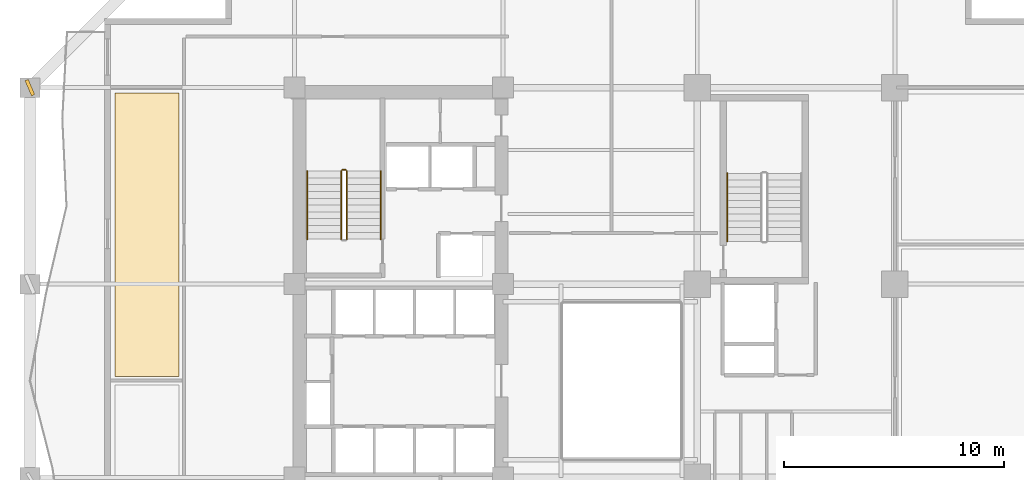
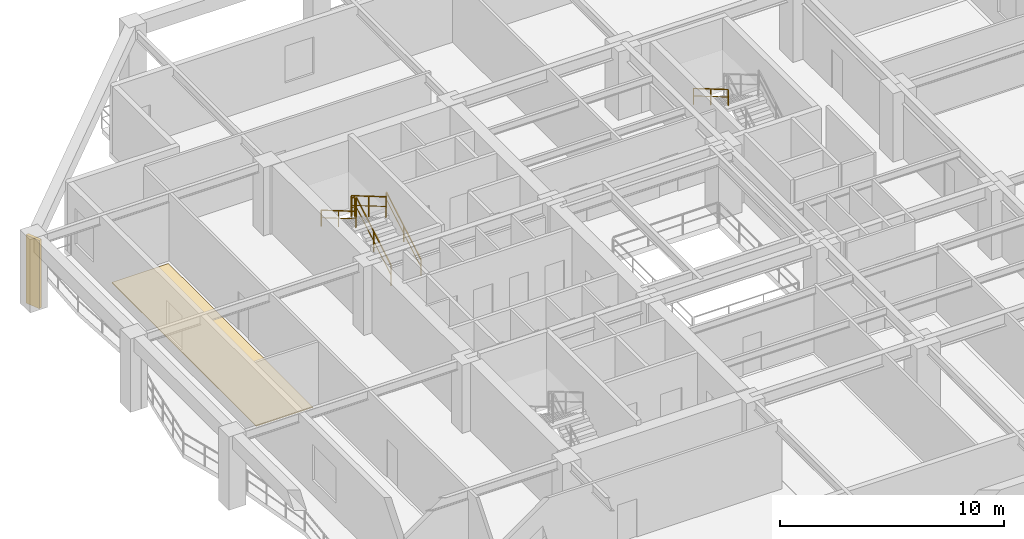
# One storey, part 10 of 12: 6 railings, 1 covering, 1 shading device.
"""IFC4 building model written with IfcOpenShell, lengths in metres."""

from ifc_helpers import new_model, si_unit, direction, frame, origin, origin_2d, place, context, subcontext, project, spatial, polyline, rectangle, outline, extrude, material, layer, layer_set, type_object, element, save


model = new_model("IFC4")

# Units and contexts
model_context = context("Model", 3, precision=1e-05, world=origin(), true_north=direction((0.0, 1.0)))
body_context = subcontext(model_context, "Body", "Model", "MODEL_VIEW")
ifc_project = project(units=[si_unit("LENGTHUNIT", "METRE"), si_unit("AREAUNIT", "SQUARE_METRE"), si_unit("VOLUMEUNIT", "CUBIC_METRE"), si_unit("PLANEANGLEUNIT", "RADIAN"), si_unit("MASSUNIT", "GRAM", prefix="KILO")], contexts=[model_context])

# Site, building, storey
site_placement = place(None, origin())
site = spatial("IfcSite", under=ifc_project, at=site_placement, CompositionType="ELEMENT")
building_placement = place(site_placement, origin())
building = spatial("IfcBuilding", under=site, at=building_placement, Name="Kundavana Baori Tower", CompositionType="ELEMENT")
storey_placement = place(building_placement, frame((0.0, 0.0, 46.0)))
storey = spatial("IfcBuildingStorey", under=building, at=storey_placement, Name="L10", CompositionType="ELEMENT", Elevation=46.0)

# Covering
ifc_material_1 = material(Name="Honed Kota Stone and Terrazzo Flooring", Category="masonry")
ifc_layer = layer(ifc_material_1, 0.0400390625, Name="COV-FLR-TERR-40")
ifc_layer_set = layer_set([ifc_layer], Name="Honed Kota Stone and Terrazzo Flooring")
covering_type = type_object("IfcCoveringType", Name="COV-FLR-TERR-40", PredefinedType="FLOORING", material=ifc_layer_set)
covering_placement = place(storey_placement, origin())
element("IfcCovering", 1, at=covering_placement, inside=storey, type_object=covering_type, Name="L10 Room Finished Stone Flooring 2", PredefinedType="FLOORING", context=body_context, shape_type="SweptSolid", body=[
    extrude(outline(polyline([(7.280029296875, 28.800048828125), (10.199951171875, 28.800048828125), (10.199951171875, 41.699951171875), (7.280029296875, 41.699951171875), (7.280029296875, 28.800048828125)])), origin(), (0.0, 0.0, 1.0), 0.0400390625),
])

# Railings
ifc_material_2 = material(Name="Architectural Patinated Bronze Metalwork")
railing_type_1 = type_object("IfcRailingType", Name="RL-GRD-1150", PredefinedType="GUARDRAIL", material=ifc_material_2)
railing_1_placement = place(storey_placement, frame((17.840087890625, 35.050048828125, 0.181884765625)))
element("IfcRailing", 2, at=railing_1_placement, inside=storey, type_object=railing_type_1, Name="L10 ST2 stair guard 1", PredefinedType="GUARDRAIL", context=body_context, shape_type="SweptSolid", body=[
    extrude(rectangle(XDim=0.048095703125, YDim=0.048095703125, at=origin_2d()), frame((0.0, 0.0, 1.1259765625), z_axis=(0.0, 0.86258143422, 0.50591824373), x_axis=(-1.0, 0.0, 0.0)), (0.0, 0.0, 1.0), 3.59375),
    extrude(rectangle(XDim=0.03125, YDim=0.03125, at=origin_2d()), frame((0.0, 0.0, 0.597900390625), z_axis=(0.0, 0.86258143422, 0.50591824373), x_axis=(-1.0, 0.0, 0.0)), (0.0, 0.0, 1.0), 3.59375),
    extrude(rectangle(XDim=0.0419921875, YDim=0.0419921875, at=origin_2d()), origin(), (0.0, 0.0, 1.0), 1.101806640625),
    extrude(rectangle(XDim=0.0419921875, YDim=0.0419921875, at=origin_2d()), frame((0.0, 1.5498046875, 0.9091796875)), (0.0, 0.0, 1.0), 1.101806640625),
    extrude(rectangle(XDim=0.0419921875, YDim=0.0419921875, at=origin_2d()), frame((0.0, 3.099853515625, 1.818115234375)), (0.0, 0.0, 1.0), 1.101806640625),
])
railing_2_placement = place(storey_placement, frame((17.7900390625, 38.199951171875, 2.0)))
element("IfcRailing", 3, at=railing_2_placement, inside=storey, type_object=railing_type_1, Name="L10 ST2 stair guard 2", PredefinedType="GUARDRAIL", context=body_context, shape_type="SweptSolid", body=[
    extrude(rectangle(XDim=0.048095703125, YDim=0.048095703125, at=origin_2d()), frame((0.0, 0.0, 1.1259765625), z_axis=(-1.0, 0.0, 0.0), x_axis=(0.0, -1.0, 0.0)), (0.0, 0.0, 1.0), 0.16015625),
    extrude(rectangle(XDim=0.03125, YDim=0.03125, at=origin_2d()), frame((0.0, 0.0, 0.597900390625), z_axis=(-1.0, 0.0, 0.0), x_axis=(0.0, -1.0, 0.0)), (0.0, 0.0, 1.0), 0.16015625),
    extrude(rectangle(XDim=0.0419921875, YDim=0.0419921875, at=origin_2d()), origin(), (0.0, 0.0, 1.0), 1.101806640625),
    extrude(rectangle(XDim=0.0419921875, YDim=0.0419921875, at=origin_2d()), frame((-0.16015625, 0.0, 0.0)), (0.0, 0.0, 1.0), 1.101806640625),
])
railing_3_placement = place(storey_placement, frame((17.580078125, 38.14990234375, 2.181884765625)))
element("IfcRailing", 4, at=railing_3_placement, inside=storey, type_object=railing_type_1, Name="L10 ST2 stair guard 3", PredefinedType="GUARDRAIL", context=body_context, shape_type="SweptSolid", body=[
    extrude(rectangle(XDim=0.048095703125, YDim=0.048095703125, at=origin_2d()), frame((0.0, 0.0, 1.1259765625), z_axis=(0.0, -0.86258143422, 0.50591824373), x_axis=(1.0, 0.0, 0.0)), (0.0, 0.0, 1.0), 3.59375),
    extrude(rectangle(XDim=0.03125, YDim=0.03125, at=origin_2d()), frame((0.0, 0.0, 0.597900390625), z_axis=(0.0, -0.86258143422, 0.50591824373), x_axis=(1.0, 0.0, 0.0)), (0.0, 0.0, 1.0), 3.59375),
    extrude(rectangle(XDim=0.0419921875, YDim=0.0419921875, at=origin_2d()), origin(), (0.0, 0.0, 1.0), 1.101806640625),
    extrude(rectangle(XDim=0.0419921875, YDim=0.0419921875, at=origin_2d()), frame((0.0, -1.5498046875, 0.9091796875)), (0.0, 0.0, 1.0), 1.101806640625),
    extrude(rectangle(XDim=0.0419921875, YDim=0.0419921875, at=origin_2d()), frame((0.0, -3.099853515625, 1.818115234375)), (0.0, 0.0, 1.0), 1.101806640625),
])
ifc_material_3 = material(Name="Architectural Patinated Bronze Metalwork")
railing_type_2 = type_object("IfcRailingType", Name="RL-HND-920", PredefinedType="HANDRAIL", material=ifc_material_3)
railing_4_placement = place(storey_placement, frame((19.389892578125, 35.050048828125, 0.181884765625)))
element("IfcRailing", 5, at=railing_4_placement, inside=storey, type_object=railing_type_2, Name="L10 ST2 stair handrail 1", PredefinedType="HANDRAIL", context=body_context, shape_type="SweptSolid", body=[
    extrude(rectangle(XDim=0.048095703125, YDim=0.048095703125, at=origin_2d()), frame((0.0, 0.0, 0.8759765625), z_axis=(0.0, 0.86258143422, 0.50591824373), x_axis=(-1.0, 0.0, 0.0)), (0.0, 0.0, 1.0), 3.59375),
    extrude(rectangle(XDim=0.03125, YDim=0.03125, at=origin_2d()), frame((0.0, 0.0, 0.468017578125), z_axis=(0.0, 0.86258143422, 0.50591824373), x_axis=(-1.0, 0.0, 0.0)), (0.0, 0.0, 1.0), 3.59375),
    extrude(rectangle(XDim=0.0419921875, YDim=0.0419921875, at=origin_2d()), origin(), (0.0, 0.0, 1.0), 0.851806640625),
    extrude(rectangle(XDim=0.0419921875, YDim=0.0419921875, at=origin_2d()), frame((0.0, 1.5498046875, 0.9091796875)), (0.0, 0.0, 1.0), 0.851806640625),
    extrude(rectangle(XDim=0.0419921875, YDim=0.0419921875, at=origin_2d()), frame((0.0, 3.099853515625, 1.818115234375)), (0.0, 0.0, 1.0), 0.851806640625),
])
railing_5_placement = place(storey_placement, frame((16.030029296875, 38.14990234375, 2.181884765625)))
element("IfcRailing", 6, at=railing_5_placement, inside=storey, type_object=railing_type_2, Name="L10 ST2 stair handrail 2", PredefinedType="HANDRAIL", context=body_context, shape_type="SweptSolid", body=[
    extrude(rectangle(XDim=0.048095703125, YDim=0.048095703125, at=origin_2d()), frame((0.0, 0.0, 0.8759765625), z_axis=(0.0, -0.86258143422, 0.50591824373), x_axis=(1.0, 0.0, 0.0)), (0.0, 0.0, 1.0), 3.59375),
    extrude(rectangle(XDim=0.03125, YDim=0.03125, at=origin_2d()), frame((0.0, 0.0, 0.468017578125), z_axis=(0.0, -0.86258143422, 0.50591824373), x_axis=(1.0, 0.0, 0.0)), (0.0, 0.0, 1.0), 3.59375),
    extrude(rectangle(XDim=0.0419921875, YDim=0.0419921875, at=origin_2d()), origin(), (0.0, 0.0, 1.0), 0.851806640625),
    extrude(rectangle(XDim=0.0419921875, YDim=0.0419921875, at=origin_2d()), frame((0.0, -1.5498046875, 0.9091796875)), (0.0, 0.0, 1.0), 0.851806640625),
    extrude(rectangle(XDim=0.0419921875, YDim=0.0419921875, at=origin_2d()), frame((0.0, -3.099853515625, 1.818115234375)), (0.0, 0.0, 1.0), 0.851806640625),
])
railing_6_placement = place(storey_placement, frame((35.169921875, 38.050048828125, 2.181884765625)))
element("IfcRailing", 7, at=railing_6_placement, inside=storey, type_object=railing_type_2, Name="L10 ST3 stair handrail 2", PredefinedType="HANDRAIL", context=body_context, shape_type="SweptSolid", body=[
    extrude(rectangle(XDim=0.048095703125, YDim=0.048095703125, at=origin_2d()), frame((0.0, 0.0, 0.8759765625), z_axis=(0.0, -0.862598821094, 0.505888598258), x_axis=(1.0, 0.0, 0.0)), (0.0, 0.0, 1.0), 3.593994140625),
    extrude(rectangle(XDim=0.03125, YDim=0.03125, at=origin_2d()), frame((0.0, 0.0, 0.468017578125), z_axis=(0.0, -0.862598821094, 0.505888598258), x_axis=(1.0, 0.0, 0.0)), (0.0, 0.0, 1.0), 3.593994140625),
    extrude(rectangle(XDim=0.0419921875, YDim=0.0419921875, at=origin_2d()), origin(), (0.0, 0.0, 1.0), 0.851806640625),
    extrude(rectangle(XDim=0.0419921875, YDim=0.0419921875, at=origin_2d()), frame((0.0, -1.550048828125, 0.9091796875)), (0.0, 0.0, 1.0), 0.851806640625),
    extrude(rectangle(XDim=0.0419921875, YDim=0.0419921875, at=origin_2d()), frame((0.0, -3.10009765625, 1.818115234375)), (0.0, 0.0, 1.0), 0.851806640625),
])

# Shading device
ifc_material_4 = material(Name="Red-Buff Dholpur Sandstone Cladding on Concrete C40/50", Category="masonry")
shading_device_type = type_object("IfcShadingDeviceType", Name="SHD-FIN-750", PredefinedType="JALOUSIE", material=ifc_material_4)
shading_device_placement = place(storey_placement, frame((3.39990234375, 41.949951171875, 0.0), z_axis=(0.0, 0.0, 1.0), x_axis=(0.918791210149, 0.394743856384, 0.0)))
element("IfcShadingDevice", 8, at=shading_device_placement, inside=storey, type_object=shading_device_type, Name="L10 Sweeping Dholpur Sandstone Facade Fin 8", PredefinedType="JALOUSIE", context=body_context, shape_type="SweptSolid", body=[
    extrude(rectangle(XDim=0.159912109375, YDim=0.75, at=origin_2d()), origin(), (0.0, 0.0, 1.0), 3.719970703125),
])

save(model, "model.ifc")
